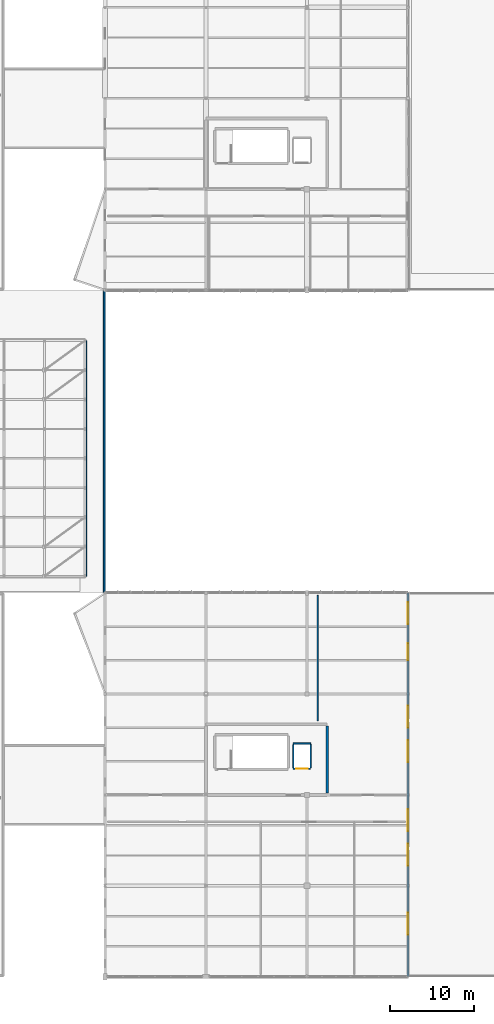
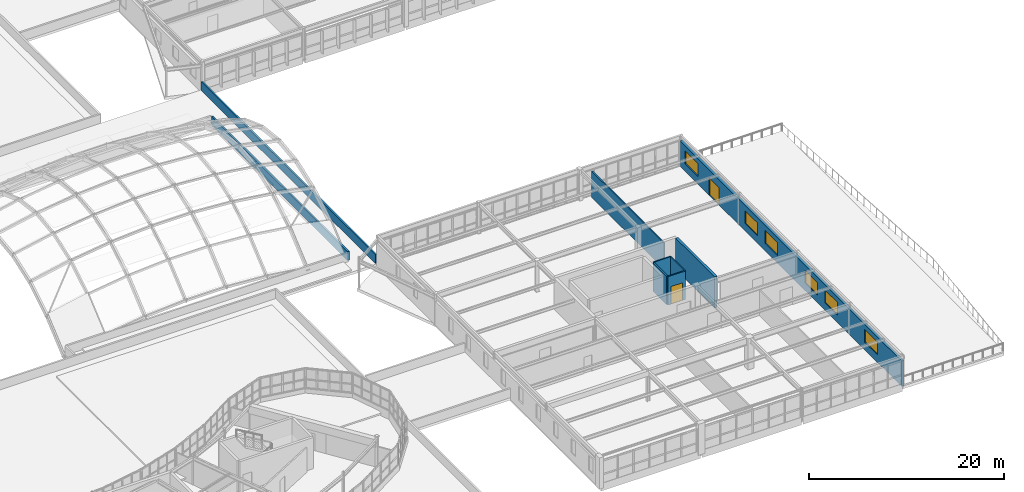
# One storey, part 110 of 128: 9 walls, 6 windows, 2 doors, 8 openings.
"""IFC4 building model written with IfcOpenShell, lengths in metres."""

from ifc_helpers import new_model, si_unit, direction, frame, frame_2d, origin, place, context, subcontext, project, spatial, rectangle, extrude, material, layer, layer_set, type_object, element, fill, save


model = new_model("IFC4")

# Units and contexts
model_context = context("Model", 3, precision=1e-05, world=origin(), true_north=direction((0.0, 1.0)))
body_context = subcontext(model_context, "Body", "Model", "MODEL_VIEW")
ifc_project = project(units=[si_unit("LENGTHUNIT", "METRE"), si_unit("AREAUNIT", "SQUARE_METRE"), si_unit("VOLUMEUNIT", "CUBIC_METRE"), si_unit("PLANEANGLEUNIT", "RADIAN"), si_unit("MASSUNIT", "GRAM", prefix="KILO")], contexts=[model_context])

# Site, building, storey
site_placement = place(None, origin())
site = spatial("IfcSite", under=ifc_project, at=site_placement, CompositionType="ELEMENT")
building_placement = place(site_placement, origin())
building = spatial("IfcBuilding", under=site, at=building_placement, Name="Tarnwether General Hospital", CompositionType="ELEMENT")
storey_placement = place(building_placement, frame((0.0, 0.0, 14.39990234375)))
storey = spatial("IfcBuildingStorey", under=building, at=storey_placement, Name="L03", CompositionType="ELEMENT", Elevation=14.39990234375)

# Wall, openings, door, windows
ifc_material_1 = material(Name="Precast concrete 40 MPa", Category="concrete")
ifc_layer_1 = layer(ifc_material_1, 0.280029296875)
ifc_layer_set_1 = layer_set([ifc_layer_1], Name="Precast concrete 40 MPa")
wall_type_1 = type_object("IfcWallType", Name="WL-EX280", PredefinedType="STANDARD", material=ifc_layer_set_1)
wall_1_placement = place(storey_placement, frame((180.0, 45.60009765625, 0.0), z_axis=(0.0, 0.0, 1.0), x_axis=(0.0, -1.0, 0.0)))
wall_1 = element("IfcWall", 1, at=wall_1_placement, inside=storey, type_object=wall_type_1, Name="L03 Outpatient South Step Wall EW-L03-0325", PredefinedType="STANDARD", context=body_context, shape_type="SweptSolid", body=[
    extrude(rectangle(XDim=45.60009765625, YDim=0.280029296875, at=frame_2d((22.800048828125, 0.0))), origin(), (0.0, 0.0, 1.0), 3.193115234375),
])
opening_1_placement = place(wall_1_placement, frame((6.0, 0.0, 0.0)))
opening_1 = element("IfcOpeningElement", 2, at=opening_1_placement, cuts=wall_1, Name="Opening ED-04", PredefinedType="OPENING", context=body_context, shape_type="SweptSolid", body=[
    extrude(rectangle(XDim=2.02001953125, YDim=2.199951171875, at=frame_2d((1.010009765625, 1.10009765625))), frame((0.0, 0.14990234375, 0.0), z_axis=(0.0, -1.0, 0.0), x_axis=(1.0, 0.0, 0.0)), (0.0, 0.0, 1.0), 0.300048828125),
])
opening_2_placement = place(wall_1_placement, frame((1.10009765625, 0.0, 0.949951171875)))
opening_2 = element("IfcOpeningElement", 3, at=opening_2_placement, cuts=wall_1, Name="Opening W-25", PredefinedType="OPENING", context=body_context, shape_type="SweptSolid", body=[
    extrude(rectangle(XDim=2.60009765625, YDim=1.60009765625, at=frame_2d((1.300048828125, 0.800048828125))), frame((0.0, 0.14990234375, 0.0), z_axis=(0.0, -1.0, 0.0), x_axis=(1.0, 0.0, 0.0)), (0.0, 0.0, 1.0), 0.300048828125),
])
opening_3_placement = place(wall_1_placement, frame((13.39990234375, 0.0, 0.949951171875)))
opening_3 = element("IfcOpeningElement", 4, at=opening_3_placement, cuts=wall_1, Name="Opening W-25", PredefinedType="OPENING", context=body_context, shape_type="SweptSolid", body=[
    extrude(rectangle(XDim=2.60009765625, YDim=1.60009765625, at=frame_2d((1.300048828125, 0.800048828125))), frame((0.0, 0.14990234375, 0.0), z_axis=(0.0, -1.0, 0.0), x_axis=(1.0, 0.0, 0.0)), (0.0, 0.0, 1.0), 0.300048828125),
])
opening_4_placement = place(wall_1_placement, frame((17.5, 0.0, 0.949951171875)))
opening_4 = element("IfcOpeningElement", 5, at=opening_4_placement, cuts=wall_1, Name="Opening W-25", PredefinedType="OPENING", context=body_context, shape_type="SweptSolid", body=[
    extrude(rectangle(XDim=2.60009765625, YDim=1.60009765625, at=frame_2d((1.300048828125, 0.800048828125))), frame((0.0, 0.14990234375, 0.0), z_axis=(0.0, -1.0, 0.0), x_axis=(1.0, 0.0, 0.0)), (0.0, 0.0, 1.0), 0.300048828125),
])
opening_5_placement = place(wall_1_placement, frame((25.699951171875, 0.0, 0.949951171875)))
opening_5 = element("IfcOpeningElement", 6, at=opening_5_placement, cuts=wall_1, Name="Opening W-25", PredefinedType="OPENING", context=body_context, shape_type="SweptSolid", body=[
    extrude(rectangle(XDim=2.60009765625, YDim=1.60009765625, at=frame_2d((1.300048828125, 0.800048828125))), frame((0.0, 0.14990234375, 0.0), z_axis=(0.0, -1.0, 0.0), x_axis=(1.0, 0.0, 0.0)), (0.0, 0.0, 1.0), 0.300048828125),
])
opening_6_placement = place(wall_1_placement, frame((29.800048828125, 0.0, 0.949951171875)))
opening_6 = element("IfcOpeningElement", 7, at=opening_6_placement, cuts=wall_1, Name="Opening W-25", PredefinedType="OPENING", context=body_context, shape_type="SweptSolid", body=[
    extrude(rectangle(XDim=2.60009765625, YDim=1.60009765625, at=frame_2d((1.300048828125, 0.800048828125))), frame((0.0, 0.14990234375, 0.0), z_axis=(0.0, -1.0, 0.0), x_axis=(1.0, 0.0, 0.0)), (0.0, 0.0, 1.0), 0.300048828125),
])
opening_7_placement = place(wall_1_placement, frame((38.0, 0.0, 0.949951171875)))
opening_7 = element("IfcOpeningElement", 8, at=opening_7_placement, cuts=wall_1, Name="Opening W-25", PredefinedType="OPENING", context=body_context, shape_type="SweptSolid", body=[
    extrude(rectangle(XDim=2.60009765625, YDim=1.60009765625, at=frame_2d((1.300048828125, 0.800048828125))), frame((0.0, 0.14990234375, 0.0), z_axis=(0.0, -1.0, 0.0), x_axis=(1.0, 0.0, 0.0)), (0.0, 0.0, 1.0), 0.300048828125),
])
ifc_material_2 = material(Name="Anodised aluminium", Category="aluminium")
door_type_1 = type_object("IfcDoorType", Name="DR-EX04", OperationType="NOTDEFINED", PredefinedType="DOOR", material=ifc_material_2)
door_1_placement = place(opening_1_placement, origin())
door_1 = element("IfcDoor", 9, at=door_1_placement, inside=storey, type_object=door_type_1, Name="L03 Outpatient Roof Garden Door ED-L03-0047", OperationType="DOUBLE_DOOR_SINGLE_SWING", OverallHeight=2.199951171875, OverallWidth=2.02001953125, PredefinedType="DOOR", context=body_context, shape_type="SweptSolid", body=[
    extrude(rectangle(XDim=2.02001953125, YDim=2.199951171875, at=frame_2d((1.010009765625, 1.10009765625))), frame((0.0, 0.02490234375, 0.0), z_axis=(0.0, -1.0, 0.0), x_axis=(1.0, 0.0, 0.0)), (0.0, 0.0, 1.0), 0.050048828125),
])
fill(opening_1, door_1)
ifc_material_3 = material(Name="Double glazed low-E glass", Category="glass")
window_type = type_object("IfcWindowType", Name="WN-25", PartitioningType="TRIPLE_PANEL_VERTICAL", PredefinedType="WINDOW", material=ifc_material_3)
window_1_placement = place(opening_2_placement, origin())
window_1 = element("IfcWindow", 10, at=window_1_placement, inside=storey, type_object=window_type, Name="Window WN-L03-0141", OverallHeight=1.60009765625, OverallWidth=2.60009765625, PartitioningType="TRIPLE_PANEL_VERTICAL", PredefinedType="WINDOW", context=body_context, shape_type="SweptSolid", body=[
    extrude(rectangle(XDim=2.60009765625, YDim=1.60009765625, at=frame_2d((1.300048828125, 0.800048828125))), frame((0.0, 0.030029296875, 0.0), z_axis=(0.0, -1.0, 0.0), x_axis=(1.0, 0.0, 0.0)), (0.0, 0.0, 1.0), 0.06005859375),
])
fill(opening_2, window_1)
window_2_placement = place(opening_3_placement, origin())
window_2 = element("IfcWindow", 11, at=window_2_placement, inside=storey, type_object=window_type, Name="Window WN-L03-0142", OverallHeight=1.60009765625, OverallWidth=2.60009765625, PartitioningType="TRIPLE_PANEL_VERTICAL", PredefinedType="WINDOW", context=body_context, shape_type="SweptSolid", body=[
    extrude(rectangle(XDim=2.60009765625, YDim=1.60009765625, at=frame_2d((1.300048828125, 0.800048828125))), frame((0.0, 0.030029296875, 0.0), z_axis=(0.0, -1.0, 0.0), x_axis=(1.0, 0.0, 0.0)), (0.0, 0.0, 1.0), 0.06005859375),
])
fill(opening_3, window_2)
window_3_placement = place(opening_4_placement, origin())
window_3 = element("IfcWindow", 12, at=window_3_placement, inside=storey, type_object=window_type, Name="Window WN-L03-0143", OverallHeight=1.60009765625, OverallWidth=2.60009765625, PartitioningType="TRIPLE_PANEL_VERTICAL", PredefinedType="WINDOW", context=body_context, shape_type="SweptSolid", body=[
    extrude(rectangle(XDim=2.60009765625, YDim=1.60009765625, at=frame_2d((1.300048828125, 0.800048828125))), frame((0.0, 0.030029296875, 0.0), z_axis=(0.0, -1.0, 0.0), x_axis=(1.0, 0.0, 0.0)), (0.0, 0.0, 1.0), 0.06005859375),
])
fill(opening_4, window_3)
window_4_placement = place(opening_5_placement, origin())
window_4 = element("IfcWindow", 13, at=window_4_placement, inside=storey, type_object=window_type, Name="Window WN-L03-0144", OverallHeight=1.60009765625, OverallWidth=2.60009765625, PartitioningType="TRIPLE_PANEL_VERTICAL", PredefinedType="WINDOW", context=body_context, shape_type="SweptSolid", body=[
    extrude(rectangle(XDim=2.60009765625, YDim=1.60009765625, at=frame_2d((1.300048828125, 0.800048828125))), frame((0.0, 0.030029296875, 0.0), z_axis=(0.0, -1.0, 0.0), x_axis=(1.0, 0.0, 0.0)), (0.0, 0.0, 1.0), 0.06005859375),
])
fill(opening_5, window_4)
window_5_placement = place(opening_6_placement, origin())
window_5 = element("IfcWindow", 14, at=window_5_placement, inside=storey, type_object=window_type, Name="Window WN-L03-0145", OverallHeight=1.60009765625, OverallWidth=2.60009765625, PartitioningType="TRIPLE_PANEL_VERTICAL", PredefinedType="WINDOW", context=body_context, shape_type="SweptSolid", body=[
    extrude(rectangle(XDim=2.60009765625, YDim=1.60009765625, at=frame_2d((1.300048828125, 0.800048828125))), frame((0.0, 0.030029296875, 0.0), z_axis=(0.0, -1.0, 0.0), x_axis=(1.0, 0.0, 0.0)), (0.0, 0.0, 1.0), 0.06005859375),
])
fill(opening_6, window_5)
window_6_placement = place(opening_7_placement, origin())
window_6 = element("IfcWindow", 15, at=window_6_placement, inside=storey, type_object=window_type, Name="Window WN-L03-0146", OverallHeight=1.60009765625, OverallWidth=2.60009765625, PartitioningType="TRIPLE_PANEL_VERTICAL", PredefinedType="WINDOW", context=body_context, shape_type="SweptSolid", body=[
    extrude(rectangle(XDim=2.60009765625, YDim=1.60009765625, at=frame_2d((1.300048828125, 0.800048828125))), frame((0.0, 0.030029296875, 0.0), z_axis=(0.0, -1.0, 0.0), x_axis=(1.0, 0.0, 0.0)), (0.0, 0.0, 1.0), 0.06005859375),
])
fill(opening_7, window_6)

# Walls
ifc_material_4 = material(Name="Precast concrete 40 MPa", Category="concrete")
ifc_layer_2 = layer(ifc_material_4, 0.199951171875)
ifc_layer_set_2 = layer_set([ifc_layer_2], Name="Precast concrete 40 MPa")
wall_type_2 = type_object("IfcWallType", Name="WL-PR200", PredefinedType="PARAPET", material=ifc_layer_set_2)
wall_2_placement = place(storey_placement, frame((143.89990234375, 81.5, 0.330078125), z_axis=(0.0, 0.0, 1.0), x_axis=(0.0, -1.0, 0.0)))
element("IfcWall", 16, at=wall_2_placement, inside=storey, type_object=wall_type_2, Name="Flat Roof Parapet EW-L03-0363", PredefinedType="PARAPET", context=body_context, shape_type="SweptSolid", body=[
    extrude(rectangle(XDim=35.800048828125, YDim=0.199951171875, at=frame_2d((17.89990234375, 0.0))), origin(), (0.0, 0.0, 1.0), 1.1201171875),
])
wall_3_placement = place(storey_placement, frame((141.699951171875, 47.60009765625, 0.330078125), z_axis=(0.0, 0.0, 1.0), x_axis=(0.0, 1.0, 0.0)))
element("IfcWall", 17, at=wall_3_placement, inside=storey, type_object=wall_type_2, Name="Flat Roof Parapet EW-L03-0366", PredefinedType="PARAPET", context=body_context, shape_type="SweptSolid", body=[
    extrude(rectangle(XDim=28.0, YDim=0.199951171875, at=frame_2d((14.0, 0.0))), origin(), (0.0, 0.0, 1.0), 1.1201171875),
])
ifc_material_5 = material(Name="Gypsum plasterboard")
ifc_layer_3 = layer(ifc_material_5, 0.139892578125)
ifc_layer_set_3 = layer_set([ifc_layer_3], Name="Gypsum plasterboard")
wall_type_3 = type_object("IfcWallType", Name="WL-PT140", PredefinedType="PARTITIONING", material=ifc_layer_set_3)
wall_4_placement = place(storey_placement, frame((169.2880859375, 30.39990234375, 0.0), z_axis=(0.0, 0.0, 1.0), x_axis=(0.0, 1.0, 0.0)))
element("IfcWall", 18, at=wall_4_placement, inside=storey, type_object=wall_type_3, Name="Interior Partition PT-L03-0360", PredefinedType="PARTITIONING", context=body_context, shape_type="SweptSolid", body=[
    extrude(rectangle(XDim=14.900146484375, YDim=0.139892578125, at=frame_2d((7.4501953125, 0.0))), origin(), (0.0, 0.0, 1.0), 3.278076171875),
])

# Wall, opening, door
ifc_material_6 = material(Name="Gypsum plasterboard")
ifc_layer_4 = layer(ifc_material_6, 0.159912109375)
ifc_layer_set_4 = layer_set([ifc_layer_4], Name="Gypsum plasterboard")
wall_type_4 = type_object("IfcWallType", Name="WL-PT160", PredefinedType="PARTITIONING", material=ifc_layer_set_4)
wall_5_placement = place(storey_placement, frame((166.360107421875, 24.7099609375, 0.0), z_axis=(0.0, 0.0, 1.0), x_axis=(1.0, 0.0, 0.0)))
wall_5 = element("IfcWall", 19, at=wall_5_placement, inside=storey, type_object=wall_type_4, Name="Lift L-05 Shaft Wall LSH-L-05-L03-S", PredefinedType="PARTITIONING", context=body_context, shape_type="SweptSolid", body=[
    extrude(rectangle(XDim=2.079833984375, YDim=0.159912109375, at=frame_2d((1.0400390625, 0.0))), origin(), (0.0, 0.0, 1.0), 3.56005859375),
])
opening_8_placement = place(wall_5_placement, frame((0.340087890625, 0.0, 0.0)))
opening_8 = element("IfcOpeningElement", 20, at=opening_8_placement, cuts=wall_5, Name="Opening LD-01", PredefinedType="OPENING", context=body_context, shape_type="SweptSolid", body=[
    extrude(rectangle(XDim=1.39990234375, YDim=2.199951171875, at=frame_2d((0.699951171875, 1.10009765625))), frame((0.0, 0.08984375, 0.0), z_axis=(0.0, -1.0, 0.0), x_axis=(1.0, 0.0, 0.0)), (0.0, 0.0, 1.0), 0.179931640625),
])
ifc_material_7 = material(Name="Anodised aluminium", Category="aluminium")
door_type_2 = type_object("IfcDoorType", Name="DR-LD01", OperationType="NOTDEFINED", PredefinedType="DOOR", material=ifc_material_7)
door_2_placement = place(opening_8_placement, origin())
door_2 = element("IfcDoor", 21, at=door_2_placement, inside=storey, type_object=door_type_2, Name="Lift L-05 Sliding Landing Door L03", OperationType="SLIDING_TO_RIGHT", OverallHeight=2.199951171875, OverallWidth=1.39990234375, PredefinedType="DOOR", context=body_context, shape_type="SweptSolid", body=[
    extrude(rectangle(XDim=1.39990234375, YDim=2.199951171875, at=frame_2d((0.699951171875, 1.10009765625))), frame((0.0, 0.02490234375, 0.0), z_axis=(0.0, -1.0, 0.0), x_axis=(1.0, 0.0, 0.0)), (0.0, 0.0, 1.0), 0.050048828125),
])
fill(opening_8, door_2)

# Walls
wall_6_placement = place(storey_placement, frame((168.43994140625, 27.68994140625, 0.0), z_axis=(0.0, 0.0, 1.0), x_axis=(-1.0, 0.0, 0.0)))
element("IfcWall", 22, at=wall_6_placement, inside=storey, type_object=wall_type_4, Name="Lift L-05 Shaft Wall LSH-L-05-L03-N", PredefinedType="PARTITIONING", context=body_context, shape_type="SweptSolid", body=[
    extrude(rectangle(XDim=2.079833984375, YDim=0.159912109375, at=frame_2d((1.0400390625, 0.0))), origin(), (0.0, 0.0, 1.0), 3.56005859375),
])
for number, where, z_axis, x_axis, name in (
    (23, (166.360107421875, 27.590087890625, 0.0), (0.0, 0.0, 1.0), (0.0, -1.0, 0.0), "Lift L-05 Shaft Wall LSH-L-05-L03-W"),
    (24, (168.43994140625, 24.81005859375, 0.0), (0.0, 0.0, 1.0), (0.0, 1.0, 0.0), "Lift L-05 Shaft Wall LSH-L-05-L03-E"),
):
    element("IfcWall", number, at=place(storey_placement, frame(where, z_axis=z_axis, x_axis=x_axis)), inside=storey, type_object=wall_type_4, Name=name, PredefinedType="PARTITIONING", context=body_context, shape_type="SweptSolid", body=[
        extrude(rectangle(XDim=2.780029296875, YDim=0.159912109375, at=frame_2d((1.39013671875, 0.0))), origin(), (0.0, 0.0, 1.0), 3.56005859375),
    ])
ifc_material_8 = material(Name="Concrete 50 MPa", Category="concrete")
ifc_layer_5 = layer(ifc_material_8, 0.300048828125)
ifc_layer_set_5 = layer_set([ifc_layer_5], Name="Concrete 50 MPa")
wall_type_5 = type_object("IfcWallType", Name="WL-SW300", PredefinedType="SHEAR", material=ifc_layer_set_5)
wall_7_placement = place(storey_placement, frame((170.39990234375, 29.800048828125, 0.0), z_axis=(0.0, 0.0, 1.0), x_axis=(0.0, -1.0, 0.0)))
element("IfcWall", 25, at=wall_7_placement, inside=storey, type_object=wall_type_5, Name="Core Shear Wall CWALL-K5-L03-E", PredefinedType="SHEAR", context=body_context, shape_type="SweptSolid", body=[
    extrude(rectangle(XDim=8.0, YDim=0.300048828125, at=frame_2d((4.0, 0.0))), origin(), (0.0, 0.0, 1.0), 3.900146484375),
])

save(model, "model.ifc")
